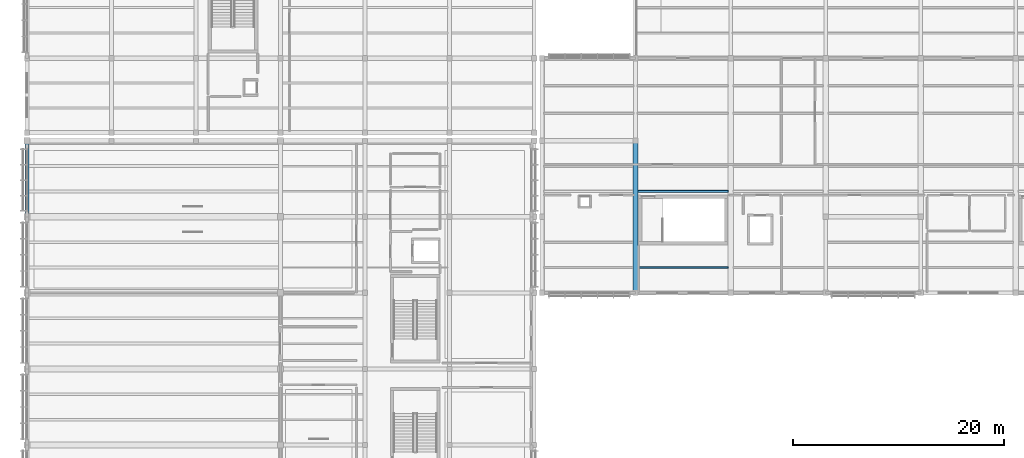
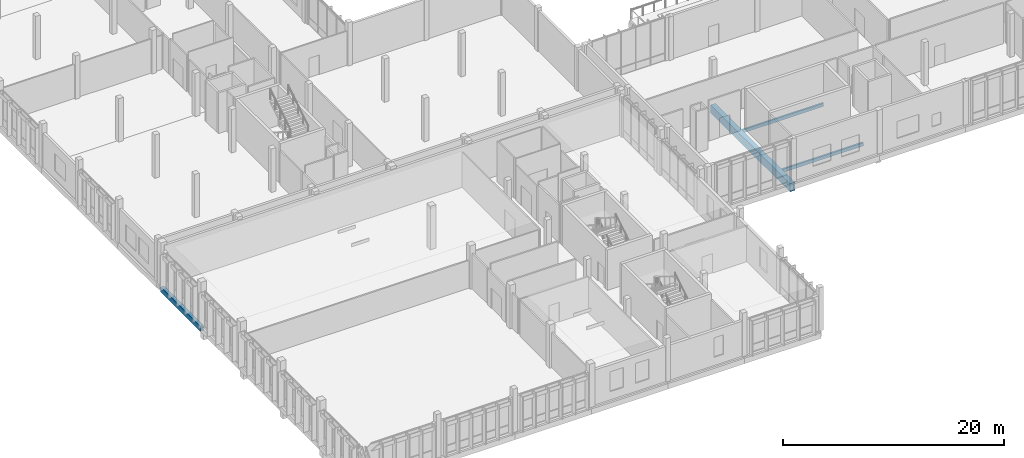
# One storey, part 29 of 177: 4 beams.
"""IFC4 building model written with IfcOpenShell, lengths in metres."""

from ifc_helpers import new_model, si_unit, direction, frame, origin, origin_2d, place, context, subcontext, project, spatial, rectangle, extrude, material, material_profile, profile_set, type_object, element, save


model = new_model("IFC4")

# Units and contexts
model_context = context("Model", 3, precision=1e-05, world=origin(), true_north=direction((0.0, 1.0)))
body_context = subcontext(model_context, "Body", "Model", "MODEL_VIEW")
ifc_project = project(units=[si_unit("LENGTHUNIT", "METRE"), si_unit("AREAUNIT", "SQUARE_METRE"), si_unit("VOLUMEUNIT", "CUBIC_METRE"), si_unit("PLANEANGLEUNIT", "RADIAN"), si_unit("MASSUNIT", "GRAM", prefix="KILO")], contexts=[model_context])

# Site, building, storey
site_placement = place(None, origin())
site = spatial("IfcSite", under=ifc_project, at=site_placement, CompositionType="ELEMENT")
building_placement = place(site_placement, origin())
building = spatial("IfcBuilding", under=site, at=building_placement, Name="Chiffa Square Polytechnic", CompositionType="ELEMENT")
storey_placement = place(building_placement, frame((0.0, 0.0, 4.800048828125)))
storey = spatial("IfcBuildingStorey", under=building, at=storey_placement, Name="L01", CompositionType="ELEMENT", Elevation=4.800048828125)

# Beams
ifc_material_1 = material(Name="Concrete C35/45", Category="concrete")
ifc_material_profile_1 = material_profile(ifc_material_1, rectangle(XDim=0.35009765625, YDim=0.550048828125, at=origin_2d()), Name="RC 350x550")
ifc_profile_set_1 = profile_set([ifc_material_profile_1], Name="Concrete C35/45")
beam_type_1 = type_object("IfcBeamType", Name="BM-RC-350X550", PredefinedType="BEAM", material=ifc_profile_set_1)
beam_1_placement = place(storey_placement, frame((0.0, 28.800048828125, -0.554931640625), z_axis=(0.0, 1.0, 0.0), x_axis=(-1.0, 0.0, 0.0)))
element("IfcBeam", 1, at=beam_1_placement, inside=storey, type_object=beam_type_1, Name="Primary floor girder BM-V3-L01-Y-0000-0288", PredefinedType="BEAM", context=body_context, shape_type="SweptSolid", body=[
    extrude(rectangle(XDim=0.35009765625, YDim=0.550048828125, at=origin_2d()), origin(), (0.0, 0.0, 1.0), 7.199951171875),
])
ifc_material_2 = material(Name="Concrete C40/50", Category="concrete")
ifc_material_profile_2 = material_profile(ifc_material_2, rectangle(XDim=0.5, YDim=0.89990234375, at=origin_2d()), Name="RC 500x900")
ifc_profile_set_2 = profile_set([ifc_material_profile_2], Name="Concrete C40/50")
beam_type_2 = type_object("IfcBeamType", Name="BM-RC-500X900", PredefinedType="BEAM", material=ifc_profile_set_2)
beam_2_placement = place(storey_placement, frame((57.60009765625, 21.60009765625, -0.72998046875), z_axis=(0.0, 1.0, 0.0), x_axis=(-1.0, 0.0, 0.0)))
element("IfcBeam", 2, at=beam_2_placement, inside=storey, type_object=beam_type_2, Name="Primary floor girder BM-V4-L01-Y-0576-0216", PredefinedType="BEAM", context=body_context, shape_type="SweptSolid", body=[
    extrude(rectangle(XDim=0.5, YDim=0.89990234375, at=origin_2d()), origin(), (0.0, 0.0, 1.0), 14.39990234375),
])
ifc_material_3 = material(Name="Glulam GL28h", Category="wood")
ifc_material_profile_3 = material_profile(ifc_material_3, rectangle(XDim=0.179931640625, YDim=0.360107421875, at=origin_2d()), Name="GL28h 180x360")
ifc_profile_set_3 = profile_set([ifc_material_profile_3], Name="Glulam GL28h")
beam_type_3 = type_object("IfcBeamType", Name="JST-GL-180X360", PredefinedType="JOIST", material=ifc_profile_set_3)
for number, where, z_axis, x_axis, name in (
    (3, (57.847900390625, 24.0, -0.4599609375), (1.0, 0.0, 0.0), (0.0, 1.0, 0.0), "Secondary floor joist JST-V4-L01-0576-0240"),
    (4, (57.847900390625, 31.199951171875, -0.4599609375), (1.0, 0.0, 0.0), (0.0, 1.0, 0.0), "Secondary floor joist JST-V4-L01-0576-0312"),
):
    element("IfcBeam", number, at=place(storey_placement, frame(where, z_axis=z_axis, x_axis=x_axis)), inside=storey, type_object=beam_type_3, Name=name, PredefinedType="JOIST", context=body_context, shape_type="SweptSolid", body=[
        extrude(rectangle(XDim=0.179931640625, YDim=0.360107421875, at=origin_2d()), origin(), (0.0, 0.0, 1.0), 8.504150390625),
    ])

save(model, "model.ifc")
